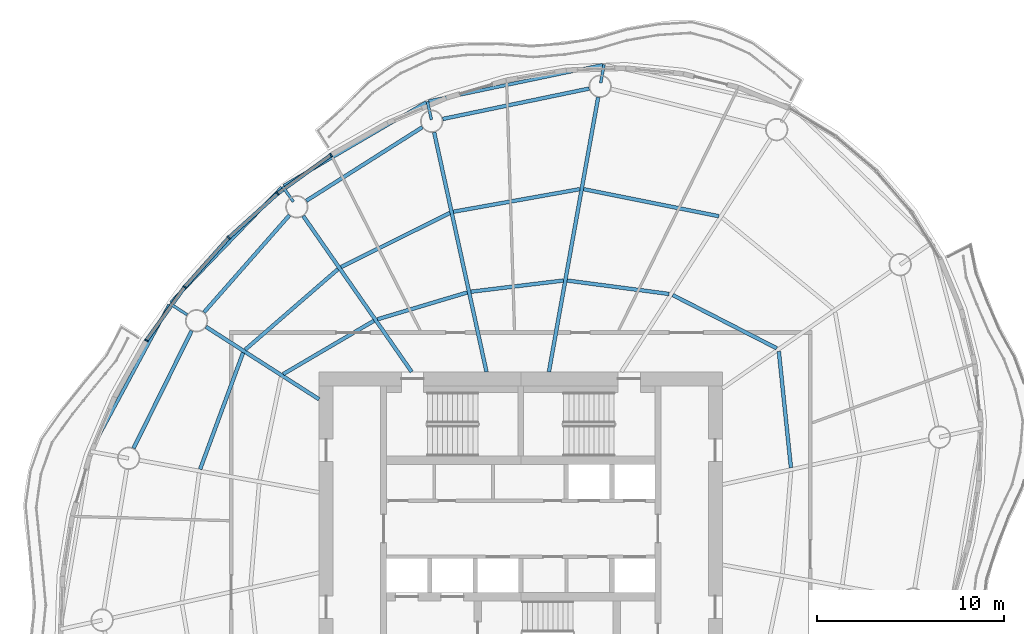
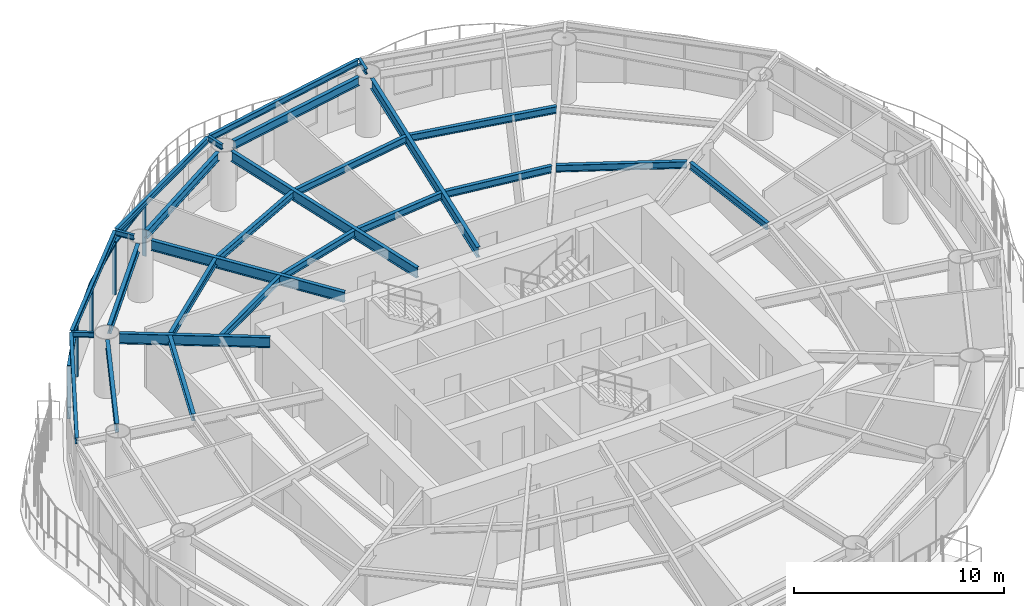
# One storey, part 5 of 14: 27 beams, 9 members, 4 elements without a shape of their own.
"""IFC4 building model written with IfcOpenShell, lengths in metres."""

from ifc_helpers import new_model, si_unit, direction, frame, origin, origin_2d, place, context, subcontext, project, spatial, rectangle, i_section, extrude, material, material_profile, profile_set, type_object, element, aggregate, save


model = new_model("IFC4")

# Units and contexts
model_context = context("Model", 3, precision=1e-05, world=origin(), true_north=direction((0.0, 1.0)))
body_context = subcontext(model_context, "Body", "Model", "MODEL_VIEW")
ifc_project = project(units=[si_unit("LENGTHUNIT", "METRE"), si_unit("AREAUNIT", "SQUARE_METRE"), si_unit("VOLUMEUNIT", "CUBIC_METRE"), si_unit("PLANEANGLEUNIT", "RADIAN"), si_unit("MASSUNIT", "GRAM", prefix="KILO")], contexts=[model_context])

# Site, building, storey
site_placement = place(None, origin())
site = spatial("IfcSite", under=ifc_project, at=site_placement, CompositionType="ELEMENT")
building_placement = place(site_placement, origin())
building = spatial("IfcBuilding", under=site, at=building_placement, Name="Vermilion Reach Broadcast Tower", CompositionType="ELEMENT")
storey_placement = place(building_placement, frame((0.0, 0.0, 213.699951171875)))
storey = spatial("IfcBuildingStorey", under=building, at=storey_placement, Name="L52", CompositionType="ELEMENT", Elevation=213.699951171875)

# Beams
ifc_material_1 = material(Name="Steel S355J2", Category="steel")
ifc_material_profile_1 = material_profile(ifc_material_1, i_section(OverallWidth=0.175048828125, OverallDepth=0.35009765625, WebThickness=0.007080078125, FlangeThickness=0.010986328125, at=origin_2d()), Name="S355J2 HN 350x175x7x11")
ifc_profile_set_1 = profile_set([ifc_material_profile_1], Name="Steel S355J2")
beam_type_1 = type_object("IfcBeamType", Name="EB4 HN 350x175x7x11", PredefinedType="BEAM", material=ifc_profile_set_1)
beam_1_placement = place(storey_placement, frame((-1.62109375, 24.83447265625, 3.275146484375), z_axis=(-0.978855246284, -0.204554165988, 0.0), x_axis=(0.204554165988, -0.978855246284, 0.0)))
element("IfcBeam", 1, at=beam_1_placement, inside=storey, type_object=beam_type_1, Name="Edge beam EB4-02", PredefinedType="BEAM", context=body_context, shape_type="SweptSolid", body=[
    extrude(i_section(OverallWidth=0.175048828125, OverallDepth=0.35009765625, WebThickness=0.007080078125, FlangeThickness=0.010986328125, at=origin_2d()), origin(), (0.0, 0.0, 1.0), 9.50634765625),
])
beam_2_placement = place(storey_placement, frame((-11.068115234375, 22.83447265625, 3.275146484375), z_axis=(-0.8624999737, -0.506057106825, 0.0), x_axis=(0.506057106825, -0.8624999737, 0.0)))
element("IfcBeam", 2, at=beam_2_placement, inside=storey, type_object=beam_type_1, Name="Edge beam EB4-03", PredefinedType="BEAM", context=body_context, shape_type="SweptSolid", body=[
    extrude(i_section(OverallWidth=0.175048828125, OverallDepth=0.35009765625, WebThickness=0.007080078125, FlangeThickness=0.010986328125, at=origin_2d()), origin(), (0.0, 0.0, 1.0), 8.8330078125),
])
beam_3_placement = place(storey_placement, frame((-18.804443359375, 18.271240234375, 3.275146484375), z_axis=(-0.693659229359, -0.720303320501, 0.0), x_axis=(0.720303320501, -0.693659229359, 0.0)))
element("IfcBeam", 3, at=beam_3_placement, inside=storey, type_object=beam_type_1, Name="Edge beam EB4-04", PredefinedType="BEAM", context=body_context, shape_type="SweptSolid", body=[
    extrude(i_section(OverallWidth=0.175048828125, OverallDepth=0.35009765625, WebThickness=0.007080078125, FlangeThickness=0.010986328125, at=origin_2d()), origin(), (0.0, 0.0, 1.0), 8.558349609375),
])
beam_4_placement = place(storey_placement, frame((-24.82958984375, 11.9853515625, 3.275146484375), z_axis=(-0.473191983664, -0.880959333111, 0.0), x_axis=(0.880959333111, -0.473191983664, 0.0)))
element("IfcBeam", 4, at=beam_4_placement, inside=storey, type_object=beam_type_1, Name="Edge beam EB4-05", PredefinedType="BEAM", context=body_context, shape_type="SweptSolid", body=[
    extrude(i_section(OverallWidth=0.175048828125, OverallDepth=0.35009765625, WebThickness=0.007080078125, FlangeThickness=0.010986328125, at=origin_2d()), origin(), (0.0, 0.0, 1.0), 8.806640625),
])
ifc_material_2 = material(Name="Steel S355J2", Category="steel")
ifc_material_profile_2 = material_profile(ifc_material_2, i_section(OverallWidth=0.199951171875, OverallDepth=0.60009765625, WebThickness=0.010986328125, FlangeThickness=0.01708984375, at=origin_2d()), Name="S355J2 HN 600x200x11x17")
ifc_profile_set_2 = profile_set([ifc_material_profile_2], Name="Steel S355J2")
beam_type_2 = type_object("IfcBeamType", Name="G4 HN 600x200x11x17", PredefinedType="BEAM", material=ifc_profile_set_2)
beam_5_placement = place(storey_placement, frame((-4.4931640625, 8.39990234375, 3.150146484375), z_axis=(0.176574729047, 0.984287237072, 0.0), x_axis=(-0.984287237072, 0.176574729047, 0.0)))
element("IfcBeam", 5, at=beam_5_placement, inside=storey, type_object=beam_type_2, Name="Girder G4-02", PredefinedType="BEAM", context=body_context, shape_type="SweptSolid", body=[
    extrude(i_section(OverallWidth=0.199951171875, OverallDepth=0.60009765625, WebThickness=0.010986328125, FlangeThickness=0.01708984375, at=origin_2d()), origin(), (0.0, 0.0, 1.0), 14.935302734375),
])
beam_6_placement = place(storey_placement, frame((-7.836181640625, 8.39990234375, 3.150146484375), z_axis=(-0.213538346548, 0.976934682849, 0.0), x_axis=(-0.976934682849, -0.213538346548, 0.0)))
element("IfcBeam", 6, at=beam_6_placement, inside=storey, type_object=beam_type_2, Name="Girder G4-03", PredefinedType="BEAM", context=body_context, shape_type="SweptSolid", body=[
    extrude(i_section(OverallWidth=0.199951171875, OverallDepth=0.60009765625, WebThickness=0.010986328125, FlangeThickness=0.01708984375, at=origin_2d()), origin(), (0.0, 0.0, 1.0), 13.135498046875),
])
beam_7_placement = place(storey_placement, frame((-11.8447265625, 8.39990234375, 3.150146484375), z_axis=(-0.571134149017, 0.8208567377, 0.0), x_axis=(-0.8208567377, -0.571134149017, 0.0)))
element("IfcBeam", 7, at=beam_7_placement, inside=storey, type_object=beam_type_2, Name="Girder G4-04", PredefinedType="BEAM", context=body_context, shape_type="SweptSolid", body=[
    extrude(i_section(OverallWidth=0.199951171875, OverallDepth=0.60009765625, WebThickness=0.010986328125, FlangeThickness=0.01708984375, at=origin_2d()), origin(), (0.0, 0.0, 1.0), 10.16552734375),
])
beam_8_placement = place(storey_placement, frame((-16.800048828125, 6.925537109375, 3.150146484375), z_axis=(-0.841798504642, 0.539791883584, 0.0), x_axis=(-0.539791883584, -0.841798504642, 0.0)))
element("IfcBeam", 8, at=beam_8_placement, inside=storey, type_object=beam_type_2, Name="Girder G4-05", PredefinedType="BEAM", context=body_context, shape_type="SweptSolid", body=[
    extrude(i_section(OverallWidth=0.199951171875, OverallDepth=0.60009765625, WebThickness=0.010986328125, FlangeThickness=0.01708984375, at=origin_2d()), origin(), (0.0, 0.0, 1.0), 7.1962890625),
])
ifc_material_3 = material(Name="Steel S355J2", Category="steel")
ifc_material_profile_3 = material_profile(ifc_material_3, i_section(OverallWidth=0.14990234375, OverallDepth=0.300048828125, WebThickness=0.006591796875, FlangeThickness=0.009033203125, at=origin_2d()), Name="S355J2 HN 300x150x6.5x9")
ifc_profile_set_3 = profile_set([ifc_material_profile_3], Name="Steel S355J2")
beam_type_3 = type_object("IfcBeamType", Name="GS4 HN 300x150x6.5x9", PredefinedType="BEAM", material=ifc_profile_set_3)
beam_9_placement = place(storey_placement, frame((-1.718505859375, 23.86669921875, 3.300048828125), z_axis=(0.176500327456, 0.984300581331, 0.0), x_axis=(-0.984300581331, 0.176500327456, 0.0)))
element("IfcBeam", 9, at=beam_9_placement, inside=storey, type_object=beam_type_3, Name="Cantilever stub GS4-02", PredefinedType="BEAM", context=body_context, shape_type="SweptSolid", body=[
    extrude(i_section(OverallWidth=0.14990234375, OverallDepth=0.300048828125, WebThickness=0.006591796875, FlangeThickness=0.009033203125, at=origin_2d()), origin(), (0.0, 0.0, 1.0), 1.0),
])
beam_10_placement = place(storey_placement, frame((-10.786376953125, 21.8974609375, 3.300048828125), z_axis=(-0.213594957215, 0.976922307173, 0.0), x_axis=(-0.976922307173, -0.213594957215, 0.0)))
element("IfcBeam", 10, at=beam_10_placement, inside=storey, type_object=beam_type_3, Name="Cantilever stub GS4-03", PredefinedType="BEAM", context=body_context, shape_type="SweptSolid", body=[
    extrude(i_section(OverallWidth=0.14990234375, OverallDepth=0.300048828125, WebThickness=0.006591796875, FlangeThickness=0.009033203125, at=origin_2d()), origin(), (0.0, 0.0, 1.0), 1.000244140625),
])
beam_11_placement = place(storey_placement, frame((-18.18017578125, 17.505615234375, 3.300048828125), z_axis=(-0.571264751294, 0.820765852073, 0.0), x_axis=(-0.820765852073, -0.571264751294, 0.0)))
element("IfcBeam", 11, at=beam_11_placement, inside=storey, type_object=beam_type_3, Name="Cantilever stub GS4-04", PredefinedType="BEAM", context=body_context, shape_type="SweptSolid", body=[
    extrude(i_section(OverallWidth=0.14990234375, OverallDepth=0.300048828125, WebThickness=0.006591796875, FlangeThickness=0.009033203125, at=origin_2d()), origin(), (0.0, 0.0, 1.0), 1.0),
])
beam_12_placement = place(storey_placement, frame((-23.867919921875, 11.457763671875, 3.300048828125), z_axis=(-0.841718819308, 0.539916131657, 0.0), x_axis=(-0.539916131657, -0.841718819308, 0.0)))
element("IfcBeam", 12, at=beam_12_placement, inside=storey, type_object=beam_type_3, Name="Cantilever stub GS4-05", PredefinedType="BEAM", context=body_context, shape_type="SweptSolid", body=[
    extrude(i_section(OverallWidth=0.14990234375, OverallDepth=0.300048828125, WebThickness=0.006591796875, FlangeThickness=0.009033203125, at=origin_2d()), origin(), (0.0, 0.0, 1.0), 1.10009765625),
])
ifc_material_4 = material(Name="Steel S355J2", Category="steel")
ifc_material_profile_4 = material_profile(ifc_material_4, i_section(OverallWidth=0.199951171875, OverallDepth=0.5, WebThickness=0.010009765625, FlangeThickness=0.01611328125, at=origin_2d()), Name="S355J2 HN 500x200x10x16")
ifc_profile_set_4 = profile_set([ifc_material_profile_4], Name="Steel S355J2")
beam_type_4 = type_object("IfcBeamType", Name="RB4 HN 500x200x10x16", PredefinedType="BEAM", material=ifc_profile_set_4)
beam_13_placement = place(storey_placement, frame((-2.337646484375, 23.569091796875, 3.199951171875), z_axis=(-0.97912342484, -0.203266620302, 0.0), x_axis=(0.203266620302, -0.97912342484, 0.0)))
element("IfcBeam", 13, at=beam_13_placement, inside=storey, type_object=beam_type_4, Name="Ring beam RB4-02", PredefinedType="BEAM", context=body_context, shape_type="SweptSolid", body=[
    extrude(i_section(OverallWidth=0.199951171875, OverallDepth=0.5, WebThickness=0.010009765625, FlangeThickness=0.01611328125, at=origin_2d()), origin(), (0.0, 0.0, 1.0), 8.01123046875),
])
beam_14_placement = place(storey_placement, frame((-11.27587890625, 21.497314453125, 3.199951171875), z_axis=(-0.84446426774, -0.535611893549, 0.0), x_axis=(0.535611893549, -0.84446426774, 0.0)))
element("IfcBeam", 14, at=beam_14_placement, inside=storey, type_object=beam_type_4, Name="Ring beam RB4-03", PredefinedType="BEAM", context=body_context, shape_type="SweptSolid", body=[
    extrude(i_section(OverallWidth=0.199951171875, OverallDepth=0.5, WebThickness=0.010009765625, FlangeThickness=0.01611328125, at=origin_2d()), origin(), (0.0, 0.0, 1.0), 7.3544921875),
])
beam_15_placement = place(storey_placement, frame((-18.3896484375, 16.786376953125, 3.199951171875), z_axis=(-0.660565141761, -0.750768735024, 0.0), x_axis=(0.750768735024, -0.660565141761, 0.0)))
element("IfcBeam", 15, at=beam_15_placement, inside=storey, type_object=beam_type_4, Name="Ring beam RB4-04", PredefinedType="BEAM", context=body_context, shape_type="SweptSolid", body=[
    extrude(i_section(OverallWidth=0.199951171875, OverallDepth=0.5, WebThickness=0.010009765625, FlangeThickness=0.01611328125, at=origin_2d()), origin(), (0.0, 0.0, 1.0), 6.9287109375),
])
beam_16_placement = place(storey_placement, frame((-23.628662109375, 10.595947265625, 3.199951171875), z_axis=(-0.442977497199, -0.896532730566, 0.0), x_axis=(0.896532730566, -0.442977497199, 0.0)))
element("IfcBeam", 16, at=beam_16_placement, inside=storey, type_object=beam_type_4, Name="Ring beam RB4-05", PredefinedType="BEAM", context=body_context, shape_type="SweptSolid", body=[
    extrude(i_section(OverallWidth=0.199951171875, OverallDepth=0.5, WebThickness=0.010009765625, FlangeThickness=0.01611328125, at=origin_2d()), origin(), (0.0, 0.0, 1.0), 7.0166015625),
])
ifc_material_5 = material(Name="Steel S355J2", Category="steel")
ifc_material_profile_5 = material_profile(ifc_material_5, i_section(OverallWidth=0.199951171875, OverallDepth=0.39990234375, WebThickness=0.008056640625, FlangeThickness=0.012939453125, at=origin_2d()), Name="S355J2 HN 400x200x8x13")
ifc_profile_set_5 = profile_set([ifc_material_profile_5], Name="Steel S355J2")
beam_type_5 = type_object("IfcBeamType", Name="SB4 HN 400x200x8x13", PredefinedType="BEAM", material=ifc_profile_set_5)
beam_17_placement = place(storey_placement, frame((1.94140625, 12.5693359375, 3.25), z_axis=(-0.991458070019, 0.130425823341, 0.0), x_axis=(-0.130425823341, -0.991458070019, 0.0)))
element("IfcBeam", 17, at=beam_17_placement, inside=storey, type_object=beam_type_5, Name="Secondary beam SB4-01-1", PredefinedType="BEAM", context=body_context, shape_type="SweptSolid", body=[
    extrude(i_section(OverallWidth=0.199951171875, OverallDepth=0.39990234375, WebThickness=0.008056640625, FlangeThickness=0.012939453125, at=origin_2d()), origin(), (0.0, 0.0, 1.0), 5.50341796875),
])
beam_18_placement = place(storey_placement, frame((4.60986328125, 16.73095703125, 3.25), z_axis=(-0.9805717807, 0.196160604851, 0.0), x_axis=(-0.196160604851, -0.9805717807, 0.0)))
element("IfcBeam", 18, at=beam_18_placement, inside=storey, type_object=beam_type_5, Name="Secondary beam SB4-01-2", PredefinedType="BEAM", context=body_context, shape_type="SweptSolid", body=[
    extrude(i_section(OverallWidth=0.199951171875, OverallDepth=0.39990234375, WebThickness=0.008056640625, FlangeThickness=0.012939453125, at=origin_2d()), origin(), (0.0, 0.0, 1.0), 7.390380859375),
])
beam_19_placement = place(storey_placement, frame((-3.718017578125, 13.28759765625, 3.25), z_axis=(-0.99278788328, -0.119884189168, 0.0), x_axis=(0.119884189168, -0.99278788328, 0.0)))
element("IfcBeam", 19, at=beam_19_placement, inside=storey, type_object=beam_type_5, Name="Secondary beam SB4-02-1", PredefinedType="BEAM", context=body_context, shape_type="SweptSolid", body=[
    extrude(i_section(OverallWidth=0.199951171875, OverallDepth=0.39990234375, WebThickness=0.008056640625, FlangeThickness=0.012939453125, at=origin_2d()), origin(), (0.0, 0.0, 1.0), 4.9892578125),
])
beam_20_placement = place(storey_placement, frame((-2.840087890625, 18.181640625, 3.25), z_axis=(-0.984415281892, -0.175859468829, 0.0), x_axis=(0.175859468829, -0.984415281892, 0.0)))
element("IfcBeam", 20, at=beam_20_placement, inside=storey, type_object=beam_type_5, Name="Secondary beam SB4-02-2", PredefinedType="BEAM", context=body_context, shape_type="SweptSolid", body=[
    extrude(i_section(OverallWidth=0.199951171875, OverallDepth=0.39990234375, WebThickness=0.008056640625, FlangeThickness=0.012939453125, at=origin_2d()), origin(), (0.0, 0.0, 1.0), 6.874755859375),
])
beam_21_placement = place(storey_placement, frame((-8.8671875, 12.64892578125, 3.25), z_axis=(-0.958173460215, -0.28618808525, 0.0), x_axis=(0.28618808525, -0.958173460215, 0.0)))
element("IfcBeam", 21, at=beam_21_placement, inside=storey, type_object=beam_type_5, Name="Secondary beam SB4-03-1", PredefinedType="BEAM", context=body_context, shape_type="SweptSolid", body=[
    extrude(i_section(OverallWidth=0.199951171875, OverallDepth=0.39990234375, WebThickness=0.008056640625, FlangeThickness=0.012939453125, at=origin_2d()), origin(), (0.0, 0.0, 1.0), 5.02197265625),
])
beam_22_placement = place(storey_placement, frame((-9.79833984375, 16.908935546875, 3.25), z_axis=(-0.895183615542, -0.445697536974, 0.0), x_axis=(0.445697536974, -0.895183615542, 0.0)))
element("IfcBeam", 22, at=beam_22_placement, inside=storey, type_object=beam_type_5, Name="Secondary beam SB4-03-2", PredefinedType="BEAM", context=body_context, shape_type="SweptSolid", body=[
    extrude(i_section(OverallWidth=0.199951171875, OverallDepth=0.39990234375, WebThickness=0.008056640625, FlangeThickness=0.012939453125, at=origin_2d()), origin(), (0.0, 0.0, 1.0), 6.508544921875),
])
beam_23_placement = place(storey_placement, frame((-13.866455078125, 11.130615234375, 3.25), z_axis=(-0.862172572268, -0.506614701356, 0.0), x_axis=(0.506614701356, -0.862172572268, 0.0)))
element("IfcBeam", 23, at=beam_23_placement, inside=storey, type_object=beam_type_5, Name="Secondary beam SB4-04-1", PredefinedType="BEAM", context=body_context, shape_type="SweptSolid", body=[
    extrude(i_section(OverallWidth=0.199951171875, OverallDepth=0.39990234375, WebThickness=0.008056640625, FlangeThickness=0.012939453125, at=origin_2d()), origin(), (0.0, 0.0, 1.0), 5.632568359375),
])
beam_24_placement = place(storey_placement, frame((-15.791259765625, 13.89697265625, 3.25), z_axis=(-0.755129308567, -0.655575874589, 0.0), x_axis=(0.655575874589, -0.755129308567, 0.0)))
element("IfcBeam", 24, at=beam_24_placement, inside=storey, type_object=beam_type_5, Name="Secondary beam SB4-04-2", PredefinedType="BEAM", context=body_context, shape_type="SweptSolid", body=[
    extrude(i_section(OverallWidth=0.199951171875, OverallDepth=0.39990234375, WebThickness=0.008056640625, FlangeThickness=0.012939453125, at=origin_2d()), origin(), (0.0, 0.0, 1.0), 6.57958984375),
])
beam_25_placement = place(storey_placement, frame((-20.8740234375, 9.419189453125, 3.25), z_axis=(-0.345833008621, -0.938296078084, 0.0), x_axis=(0.938296078084, -0.345833008621, 0.0)))
element("IfcBeam", 25, at=beam_25_placement, inside=storey, type_object=beam_type_5, Name="Secondary beam SB4-05-2", PredefinedType="BEAM", context=body_context, shape_type="SweptSolid", body=[
    extrude(i_section(OverallWidth=0.199951171875, OverallDepth=0.39990234375, WebThickness=0.008056640625, FlangeThickness=0.012939453125, at=origin_2d()), origin(), (0.0, 0.0, 1.0), 6.647216796875),
])
beam_26_placement = place(storey_placement, frame((8.46875, 3.264892578125, 3.25), z_axis=(-0.103532173355, 0.994626105167, 0.0), x_axis=(-0.994626105167, -0.103532173355, 0.0)))
element("IfcBeam", 26, at=beam_26_placement, inside=storey, type_object=beam_type_5, Name="Secondary beam SB4-15-1", PredefinedType="BEAM", context=body_context, shape_type="SweptSolid", body=[
    extrude(i_section(OverallWidth=0.199951171875, OverallDepth=0.39990234375, WebThickness=0.008056640625, FlangeThickness=0.012939453125, at=origin_2d()), origin(), (0.0, 0.0, 1.0), 6.26318359375),
])
beam_27_placement = place(storey_placement, frame((7.707763671875, 9.659423828125, 3.25), z_axis=(-0.89015575218, 0.455656380249, 0.0), x_axis=(-0.455656380249, -0.89015575218, 0.0)))
element("IfcBeam", 27, at=beam_27_placement, inside=storey, type_object=beam_type_5, Name="Secondary beam SB4-16-1", PredefinedType="BEAM", context=body_context, shape_type="SweptSolid", body=[
    extrude(i_section(OverallWidth=0.199951171875, OverallDepth=0.39990234375, WebThickness=0.008056640625, FlangeThickness=0.012939453125, at=origin_2d()), origin(), (0.0, 0.0, 1.0), 6.25439453125),
])

# Curtain wall, member
ifc_material_6 = material(Name="Low-e laminated clear glass in aluminium frame", Category="aluminium")
curtain_wall_type = type_object("IfcCurtainWallType", Name="Slot curtain wall", PredefinedType="NOTDEFINED", material=ifc_material_6)
placement = place(storey_placement, origin())
curtain_wall_1 = element("IfcCurtainWall", 28, at=placement, inside=storey, type_object=curtain_wall_type, Name="Slot curtain wall L52 10", PredefinedType="NOTDEFINED")
ifc_material_7 = material(Name="Anodised aluminium", Category="aluminium")
ifc_material_profile_6 = material_profile(ifc_material_7, rectangle(XDim=0.199951171875, YDim=0.080078125, at=origin_2d()), Name="Slot mullion 80 x 200")
ifc_profile_set_6 = profile_set([ifc_material_profile_6], Name="Anodised aluminium")
member_type_1 = type_object("IfcMemberType", Name="Slot mullion 80 x 200", PredefinedType="MULLION", material=ifc_profile_set_6)
member_1_placement = place(storey_placement, frame((-16.16650390625, 20.007568359375, 0.0), z_axis=(0.0, 0.0, 1.0), x_axis=(0.540519452756, -0.841331516819, 0.0)))
member_1 = element("IfcMember", 29, at=member_1_placement, type_object=member_type_1, Name="Slot mullion L52 10", PredefinedType="MULLION", context=body_context, shape_type="SweptSolid", body=[
    extrude(rectangle(XDim=0.199951171875, YDim=0.080078125, at=origin_2d()), origin(), (0.0, 0.0, 1.0), 3.050048828125),
])

curtain_wall_2 = element("IfcCurtainWall", 30, at=placement, inside=storey, type_object=curtain_wall_type, Name="Slot curtain wall L52 11", PredefinedType="NOTDEFINED")
member_2_placement = place(storey_placement, frame((-19.016845703125, 17.947265625, 0.0), z_axis=(0.0, 0.0, 1.0), x_axis=(0.628697133905, -0.777650251604, 0.0)))
member_2 = element("IfcMember", 31, at=member_2_placement, type_object=member_type_1, Name="Slot mullion L52 11", PredefinedType="MULLION", context=body_context, shape_type="SweptSolid", body=[
    extrude(rectangle(XDim=0.199951171875, YDim=0.080078125, at=origin_2d()), origin(), (0.0, 0.0, 1.0), 3.050048828125),
])

curtain_wall_3 = element("IfcCurtainWall", 32, at=placement, inside=storey, type_object=curtain_wall_type, Name="Slot curtain wall L52 12", PredefinedType="NOTDEFINED")
member_3_placement = place(storey_placement, frame((-21.6435546875, 15.578125, 0.0), z_axis=(0.0, 0.0, 1.0), x_axis=(0.708586179375, -0.705624281327, 0.0)))
member_3 = element("IfcMember", 33, at=member_3_placement, type_object=member_type_1, Name="Slot mullion L52 12", PredefinedType="MULLION", context=body_context, shape_type="SweptSolid", body=[
    extrude(rectangle(XDim=0.199951171875, YDim=0.080078125, at=origin_2d()), origin(), (0.0, 0.0, 1.0), 3.050048828125),
])

# Curtain wall, members
curtain_wall_4 = element("IfcCurtainWall", 34, at=placement, inside=storey, type_object=curtain_wall_type, Name="Slot curtain wall L52 13", PredefinedType="NOTDEFINED")
member_4_placement = place(storey_placement, frame((-24.00146484375, 12.94140625, 0.0), z_axis=(0.0, 0.0, 1.0), x_axis=(0.780276886049, -0.62543423403, 0.0)))
member_4 = element("IfcMember", 35, at=member_4_placement, type_object=member_type_1, Name="Slot mullion L52 13", PredefinedType="MULLION", context=body_context, shape_type="SweptSolid", body=[
    extrude(rectangle(XDim=0.199951171875, YDim=0.080078125, at=origin_2d()), origin(), (0.0, 0.0, 1.0), 3.050048828125),
])
member_5_placement = place(storey_placement, frame((-26.050048828125, 10.08251953125, 0.0), z_axis=(0.0, 0.0, 1.0), x_axis=(0.843588248738, -0.536990564714, 0.0)))
member_5 = element("IfcMember", 36, at=member_5_placement, type_object=member_type_1, Name="Slot mullion L52 14", PredefinedType="MULLION", context=body_context, shape_type="SweptSolid", body=[
    extrude(rectangle(XDim=0.199951171875, YDim=0.080078125, at=origin_2d()), origin(), (0.0, 0.0, 1.0), 3.050048828125),
])

# Member
ifc_material_8 = material(Name="Anodised aluminium", Category="aluminium")
ifc_material_profile_7 = material_profile(ifc_material_8, rectangle(XDim=0.199951171875, YDim=0.10009765625, at=origin_2d()), Name="Slot transom 200 x 100")
ifc_profile_set_7 = profile_set([ifc_material_profile_7], Name="Anodised aluminium")
member_type_2 = type_object("IfcMemberType", Name="Slot transom 200 x 100", PredefinedType="USERDEFINED", material=ifc_profile_set_7)
member_6_placement = place(storey_placement, frame((-16.198974609375, 19.984130859375, 3.0), z_axis=(-0.810437525326, -0.585825074184, 0.0), x_axis=(0.585825074184, -0.810437525326, 0.0)))
member_6 = element("IfcMember", 37, at=member_6_placement, type_object=member_type_2, Name="Slot transom L52 10.1", ObjectType="TRANSOM", PredefinedType="USERDEFINED", context=body_context, shape_type="SweptSolid", body=[
    extrude(rectangle(XDim=0.199951171875, YDim=0.10009765625, at=origin_2d()), origin(), (0.0, 0.0, 1.0), 3.43701171875),
])

aggregate(curtain_wall_1, [member_1, member_6])

member_7_placement = place(storey_placement, frame((-19.04638671875, 17.92041015625, 3.0), z_axis=(-0.74260553239, -0.669729067059, 0.0), x_axis=(0.669729067059, -0.74260553239, 0.0)))
member_7 = element("IfcMember", 38, at=member_7_placement, type_object=member_type_2, Name="Slot transom L52 11.1", ObjectType="TRANSOM", PredefinedType="USERDEFINED", context=body_context, shape_type="SweptSolid", body=[
    extrude(rectangle(XDim=0.199951171875, YDim=0.10009765625, at=origin_2d()), origin(), (0.0, 0.0, 1.0), 3.457275390625),
])

aggregate(curtain_wall_2, [member_2, member_7])

member_8_placement = place(storey_placement, frame((-21.670166015625, 15.54833984375, 3.0), z_axis=(-0.66660493798, -0.745411199715, 0.0), x_axis=(0.745411199715, -0.66660493798, 0.0)))
member_8 = element("IfcMember", 39, at=member_8_placement, type_object=member_type_2, Name="Slot transom L52 12.1", ObjectType="TRANSOM", PredefinedType="USERDEFINED", context=body_context, shape_type="SweptSolid", body=[
    extrude(rectangle(XDim=0.199951171875, YDim=0.10009765625, at=origin_2d()), origin(), (0.0, 0.0, 1.0), 3.457275390625),
])

aggregate(curtain_wall_3, [member_3, member_8])

member_9_placement = place(storey_placement, frame((-24.02490234375, 12.908935546875, 3.0), z_axis=(-0.582400047053, -0.812902322049, 0.0), x_axis=(0.812902322049, -0.582400047053, 0.0)))
member_9 = element("IfcMember", 40, at=member_9_placement, type_object=member_type_2, Name="Slot transom L52 13.1", ObjectType="TRANSOM", PredefinedType="USERDEFINED", context=body_context, shape_type="SweptSolid", body=[
    extrude(rectangle(XDim=0.199951171875, YDim=0.10009765625, at=origin_2d()), origin(), (0.0, 0.0, 1.0), 3.43701171875),
])

aggregate(curtain_wall_4, [member_4, member_5, member_9])

save(model, "model.ifc")
